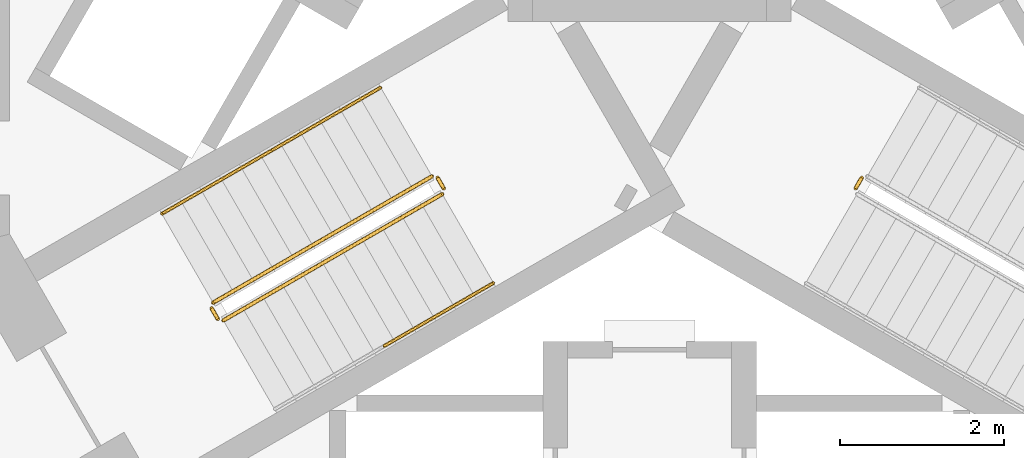
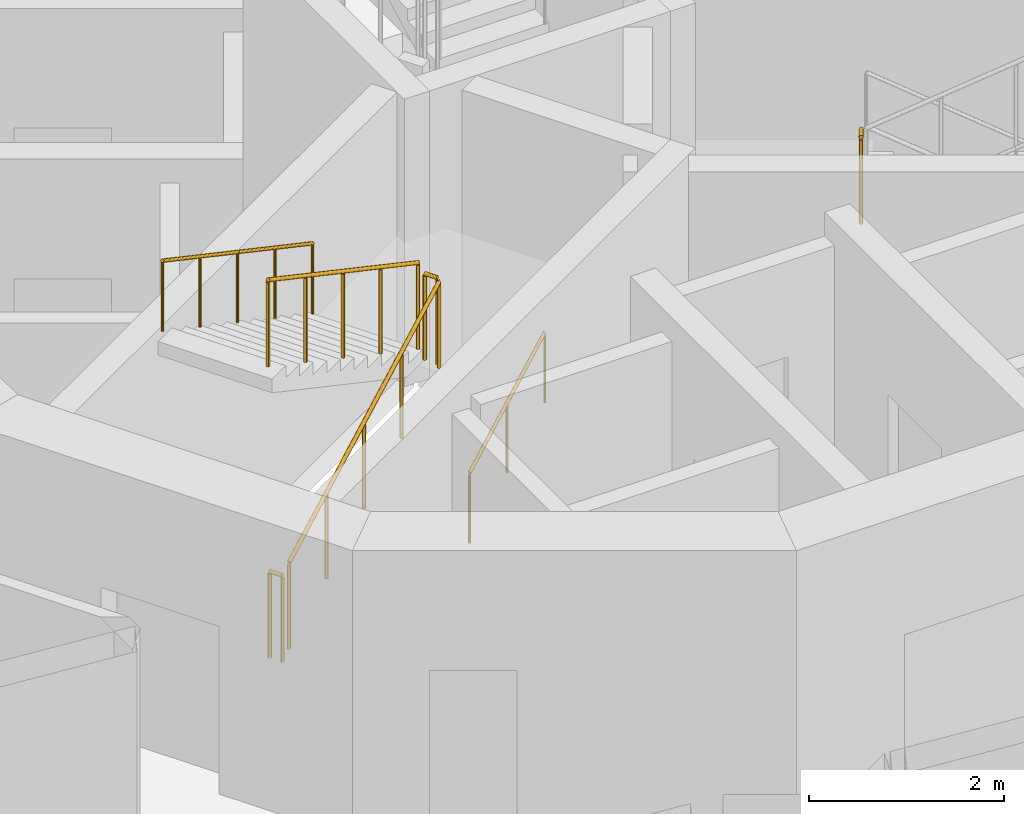
# One storey, part 11 of 16: 8 railings.
"""IFC4 building model written with IfcOpenShell, lengths in metres."""

from ifc_helpers import new_model, si_unit, direction, frame, origin, origin_2d, place, context, subcontext, project, spatial, circle, extrude, material, type_object, element, save


model = new_model("IFC4")

# Units and contexts
model_context = context("Model", 3, precision=1e-05, world=origin(), true_north=direction((0.0, 1.0)))
body_context = subcontext(model_context, "Body", "Model", "MODEL_VIEW")
ifc_project = project(units=[si_unit("LENGTHUNIT", "METRE"), si_unit("AREAUNIT", "SQUARE_METRE"), si_unit("VOLUMEUNIT", "CUBIC_METRE"), si_unit("PLANEANGLEUNIT", "RADIAN"), si_unit("MASSUNIT", "GRAM", prefix="KILO")], contexts=[model_context])

# Site, building, storey
site_placement = place(None, origin())
site = spatial("IfcSite", under=ifc_project, at=site_placement, CompositionType="ELEMENT")
building_placement = place(site_placement, origin())
building = spatial("IfcBuilding", under=site, at=building_placement, Name="Trine Commons Tower", CompositionType="ELEMENT")
storey_placement = place(building_placement, frame((0.0, 0.0, 223.199951171875)))
storey = spatial("IfcBuildingStorey", under=building, at=storey_placement, Name="L58", CompositionType="ELEMENT", Elevation=223.199951171875)

# Railings
ifc_material_1 = material(Name="Stainless steel balustrade", Category="steel")
railing_type_1 = type_object("IfcRailingType", Name="Stair guard, steel balustrade 1100", PredefinedType="GUARDRAIL", material=ifc_material_1)
railing_1_placement = place(storey_placement, frame((74.80517578125, 59.3564453125, 0.150146484375)))
element("IfcRailing", 1, at=railing_1_placement, inside=storey, type_object=railing_type_1, Name="L58 ST2C stair guard 1", PredefinedType="GUARDRAIL", context=body_context, shape_type="SweptSolid", body=[
    extrude(circle(Radius=0.02392578125, at=origin_2d()), frame((0.0, 0.0, 1.076171875), z_axis=(0.76340495495, 0.440743040072, 0.472184759798), x_axis=(-0.499992328818, 0.866029832698, 0.0)), (0.0, 0.0, 1.0), 3.494140625),
    extrude(circle(Radius=0.02099609375, at=origin_2d()), origin(), (0.0, 0.0, 1.0), 1.052001953125),
    extrude(circle(Radius=0.02099609375, at=origin_2d()), frame((0.6669921875, 0.385009765625, 0.41259765625)), (0.0, 0.0, 1.0), 1.052001953125),
    extrude(circle(Radius=0.02099609375, at=origin_2d()), frame((1.333740234375, 0.77001953125, 0.824951171875)), (0.0, 0.0, 1.0), 1.052001953125),
    extrude(circle(Radius=0.02099609375, at=origin_2d()), frame((2.00048828125, 1.155029296875, 1.2373046875)), (0.0, 0.0, 1.0), 1.052001953125),
    extrude(circle(Radius=0.02099609375, at=origin_2d()), frame((2.66748046875, 1.5400390625, 1.64990234375)), (0.0, 0.0, 1.0), 1.052001953125),
])
railing_2_placement = place(storey_placement, frame((77.490966796875, 60.96484375, 1.800048828125)))
element("IfcRailing", 2, at=railing_2_placement, inside=storey, type_object=railing_type_1, Name="L58 ST2C stair guard 2", PredefinedType="GUARDRAIL", context=body_context, shape_type="SweptSolid", body=[
    extrude(circle(Radius=0.02392578125, at=origin_2d()), frame((0.0, 0.0, 1.076171875), z_axis=(-0.501036270542, 0.865426285481, 0.0), x_axis=(-0.865426285481, -0.501036270542, 0.0)), (0.0, 0.0, 1.0), 0.150146484375),
    extrude(circle(Radius=0.02099609375, at=origin_2d()), origin(), (0.0, 0.0, 1.0), 1.052001953125),
    extrude(circle(Radius=0.02099609375, at=origin_2d()), frame((-0.0751953125, 0.1298828125, 0.0)), (0.0, 0.0, 1.0), 1.052001953125),
])
railing_3_placement = place(storey_placement, frame((77.34765625, 61.113037109375, 1.949951171875)))
element("IfcRailing", 3, at=railing_3_placement, inside=storey, type_object=railing_type_1, Name="L58 ST2C stair guard 3", PredefinedType="GUARDRAIL", context=body_context, shape_type="SweptSolid", body=[
    extrude(circle(Radius=0.02392578125, at=origin_2d()), frame((0.0, 0.0, 1.076171875), z_axis=(-0.763379768245, -0.440728498818, 0.472239049384), x_axis=(0.499992328818, -0.866029832698, 0.0)), (0.0, 0.0, 1.0), 3.494384765625),
    extrude(circle(Radius=0.02099609375, at=origin_2d()), origin(), (0.0, 0.0, 1.0), 1.052001953125),
    extrude(circle(Radius=0.02099609375, at=origin_2d()), frame((-0.6669921875, -0.385009765625, 0.41259765625)), (0.0, 0.0, 1.0), 1.052001953125),
    extrude(circle(Radius=0.02099609375, at=origin_2d()), frame((-1.333740234375, -0.77001953125, 0.8251953125)), (0.0, 0.0, 1.0), 1.052001953125),
    extrude(circle(Radius=0.02099609375, at=origin_2d()), frame((-2.00048828125, -1.155029296875, 1.237548828125)), (0.0, 0.0, 1.0), 1.052001953125),
    extrude(circle(Radius=0.02099609375, at=origin_2d()), frame((-2.66748046875, -1.5400390625, 1.650146484375)), (0.0, 0.0, 1.0), 1.052001953125),
])
railing_4_placement = place(storey_placement, frame((74.73681640625, 59.374755859375, 0.0)))
element("IfcRailing", 4, at=railing_4_placement, inside=storey, type_object=railing_type_1, Name="L58 ST2C stair guard 4", PredefinedType="GUARDRAIL", context=body_context, shape_type="SweptSolid", body=[
    extrude(circle(Radius=0.02392578125, at=origin_2d()), frame((0.0, 0.0, 1.076171875), z_axis=(-0.499816412211, 0.866131372301, 0.0), x_axis=(-0.866131372301, -0.499816412211, 0.0)), (0.0, 0.0, 1.0), 0.14990234375),
    extrude(circle(Radius=0.02099609375, at=origin_2d()), origin(), (0.0, 0.0, 1.0), 1.052001953125),
    extrude(circle(Radius=0.02099609375, at=origin_2d()), frame((-0.074951171875, 0.1298828125, 0.0)), (0.0, 0.0, 1.0), 1.052001953125),
])
railing_5_placement = place(storey_placement, frame((82.584228515625, 61.0947265625, 1.800048828125)))
element("IfcRailing", 5, at=railing_5_placement, inside=storey, type_object=railing_type_1, Name="L58 ST3C stair guard 2", PredefinedType="GUARDRAIL", context=body_context, shape_type="SweptSolid", body=[
    extrude(circle(Radius=0.02392578125, at=origin_2d()), frame((0.0, 0.0, 1.076171875), z_axis=(-0.501036270542, -0.865426285481, 0.0), x_axis=(0.865426285481, -0.501036270542, 0.0)), (0.0, 0.0, 1.0), 0.150146484375),
    extrude(circle(Radius=0.02099609375, at=origin_2d()), origin(), (0.0, 0.0, 1.0), 1.052001953125),
    extrude(circle(Radius=0.02099609375, at=origin_2d()), frame((-0.0751953125, -0.1298828125, 0.0)), (0.0, 0.0, 1.0), 1.052001953125),
])
ifc_material_2 = material(Name="Stainless steel handrail", Category="steel")
railing_type_2 = type_object("IfcRailingType", Name="Stair handrail, steel 900", PredefinedType="HANDRAIL", material=ifc_material_2)
railing_6_placement = place(storey_placement, frame((76.763916015625, 59.0439453125, 0.97509765625)))
element("IfcRailing", 6, at=railing_6_placement, inside=storey, type_object=railing_type_2, Name="L58 ST2C stair handrail 2", PredefinedType="HANDRAIL", context=body_context, shape_type="SweptSolid", body=[
    extrude(circle(Radius=0.02099609375, at=origin_2d()), frame((0.0, 0.0, 0.87890625), z_axis=(0.76340495495, 0.440743040072, 0.472184759798), x_axis=(-0.499992328818, 0.866029832698, 0.0)), (0.0, 0.0, 1.0), 1.7470703125),
    extrude(circle(Radius=0.01513671875, at=origin_2d()), origin(), (0.0, 0.0, 1.0), 0.85791015625),
    extrude(circle(Radius=0.01513671875, at=origin_2d()), frame((0.6669921875, 0.385009765625, 0.41259765625)), (0.0, 0.0, 1.0), 0.85791015625),
    extrude(circle(Radius=0.01513671875, at=origin_2d()), frame((1.333740234375, 0.77001953125, 0.824951171875)), (0.0, 0.0, 1.0), 0.85791015625),
])
railing_7_placement = place(storey_placement, frame((76.72265625, 62.195556640625, 1.949951171875)))
element("IfcRailing", 7, at=railing_7_placement, inside=storey, type_object=railing_type_2, Name="L58 ST2C stair handrail 3", PredefinedType="HANDRAIL", context=body_context, shape_type="SweptSolid", body=[
    extrude(circle(Radius=0.02099609375, at=origin_2d()), frame((0.0, 0.0, 0.87890625), z_axis=(-0.763354580307, -0.440713956853, 0.472293333596), x_axis=(0.499992328818, -0.866029832698, 0.0)), (0.0, 0.0, 1.0), 1.747314453125),
    extrude(circle(Radius=0.01513671875, at=origin_2d()), origin(), (0.0, 0.0, 1.0), 0.85791015625),
    extrude(circle(Radius=0.01513671875, at=origin_2d()), frame((-0.6669921875, -0.385009765625, 0.41259765625)), (0.0, 0.0, 1.0), 0.85791015625),
    extrude(circle(Radius=0.01513671875, at=origin_2d()), frame((-1.333740234375, -0.77001953125, 0.8251953125)), (0.0, 0.0, 1.0), 0.85791015625),
])
railing_8_placement = place(storey_placement, frame((75.388916015625, 61.425537109375, 2.775146484375)))
element("IfcRailing", 8, at=railing_8_placement, inside=storey, type_object=railing_type_2, Name="L58 ST2C stair handrail 4", PredefinedType="HANDRAIL", context=body_context, shape_type="SweptSolid", body=[
    extrude(circle(Radius=0.02099609375, at=origin_2d()), frame((0.0, 0.0, 0.87890625), z_axis=(-0.76340495495, -0.440743040072, 0.472184759798), x_axis=(0.499992328818, -0.866029832698, 0.0)), (0.0, 0.0, 1.0), 1.7470703125),
    extrude(circle(Radius=0.01513671875, at=origin_2d()), origin(), (0.0, 0.0, 1.0), 0.85791015625),
    extrude(circle(Radius=0.01513671875, at=origin_2d()), frame((-0.6669921875, -0.385009765625, 0.41259765625)), (0.0, 0.0, 1.0), 0.85791015625),
    extrude(circle(Radius=0.01513671875, at=origin_2d()), frame((-1.333740234375, -0.77001953125, 0.824951171875)), (0.0, 0.0, 1.0), 0.85791015625),
])

save(model, "model.ifc")
